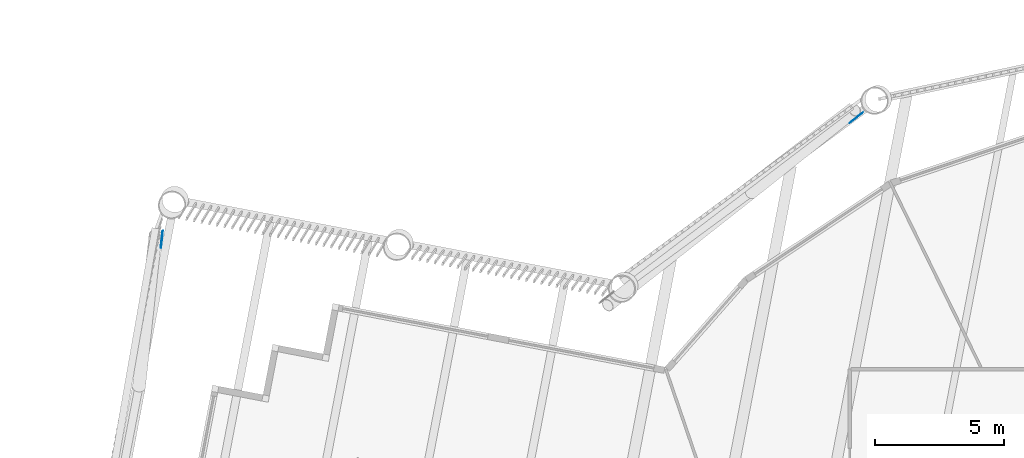
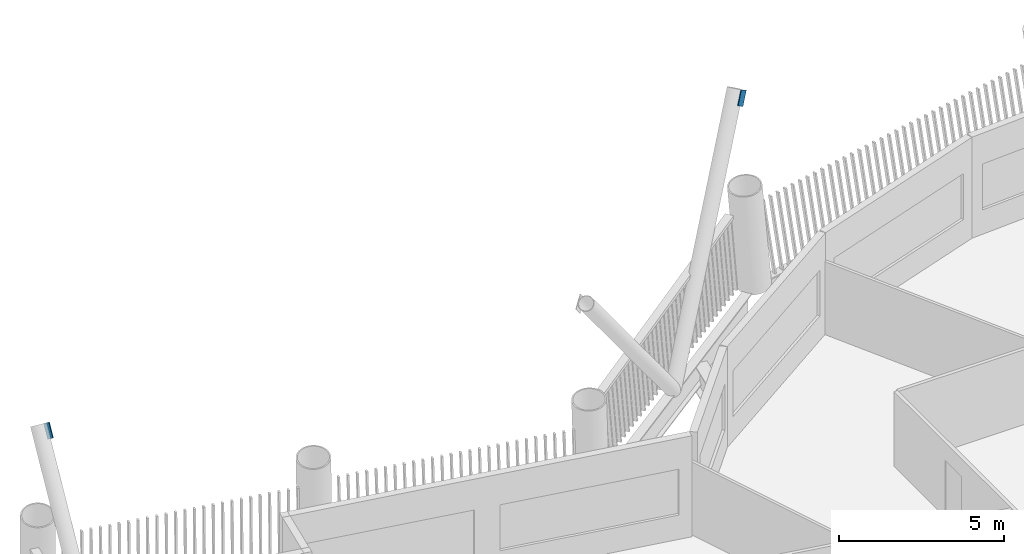
# One storey, part 14 of 23: 2 discrete accessories.
"""IFC4 building model written with IfcOpenShell, lengths in metres."""

from ifc_helpers import new_model, si_unit, direction, frame, origin, origin_2d, place, context, subcontext, project, spatial, rectangle, extrude, material, material_profile, profile_set, type_object, element, save


model = new_model("IFC4")

# Units and contexts
model_context = context("Model", 3, precision=1e-05, world=origin(), true_north=direction((0.0, 1.0)))
body_context = subcontext(model_context, "Body", "Model", "MODEL_VIEW")
ifc_project = project(units=[si_unit("LENGTHUNIT", "METRE"), si_unit("AREAUNIT", "SQUARE_METRE"), si_unit("VOLUMEUNIT", "CUBIC_METRE"), si_unit("PLANEANGLEUNIT", "RADIAN"), si_unit("MASSUNIT", "GRAM", prefix="KILO")], contexts=[model_context])

# Site, building, storey
site_placement = place(None, origin())
site = spatial("IfcSite", under=ifc_project, at=site_placement, CompositionType="ELEMENT")
building_placement = place(site_placement, origin())
building = spatial("IfcBuilding", under=site, at=building_placement, Name="Tarsis Ring Headquarters", CompositionType="ELEMENT")
storey_placement = place(building_placement, frame((0.0, 0.0, 239.39990234375)))
storey = spatial("IfcBuildingStorey", under=building, at=storey_placement, Name="L56", CompositionType="ELEMENT", Elevation=239.39990234375)

# Discrete accessories
ifc_material = material(Name="Structural steel S355", Category="steel")
ifc_material_profile = material_profile(ifc_material, rectangle(XDim=0.02490234375, YDim=0.5, at=origin_2d()), Name="PL 25x500")
ifc_profile_set = profile_set([ifc_material_profile], Name="Structural steel S355")
discrete_accessory_type = type_object("IfcDiscreteAccessoryType", Name="Gusset plate Exo brace 25", PredefinedType="BRACKET", material=ifc_profile_set)
for number, where, z_axis, x_axis, name in (
    (1, (-12.63525390625, 25.8671875, 7.800048828125), (-0.431535591072, -0.343178190637, -0.834269598577), (0.622424967026, -0.782679474895, 0.0), "Gusset plate GP5"),
    (2, (-39.737548828125, 21.20068359375, 7.800048828125), (-0.065435452334, -0.603080474866, -0.794991913426), (0.994165124249, -0.107868928461, 0.0), "Gusset plate GP5"),
):
    element("IfcDiscreteAccessory", number, at=place(storey_placement, frame(where, z_axis=z_axis, x_axis=x_axis)), inside=storey, type_object=discrete_accessory_type, Name=name, PredefinedType="BRACKET", context=body_context, shape_type="SweptSolid", body=[
        extrude(rectangle(XDim=0.02490234375, YDim=0.5, at=origin_2d()), origin(), (0.0, 0.0, 1.0), 0.5),
    ])

save(model, "model.ifc")
